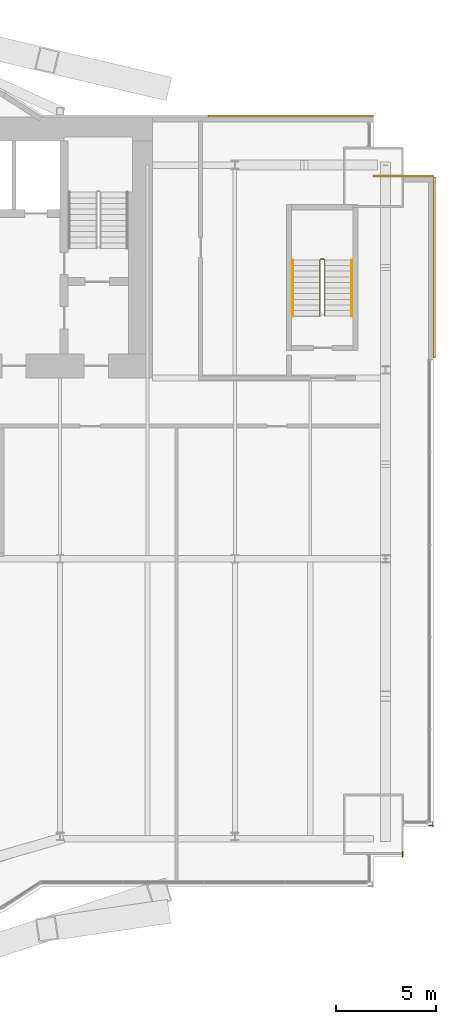
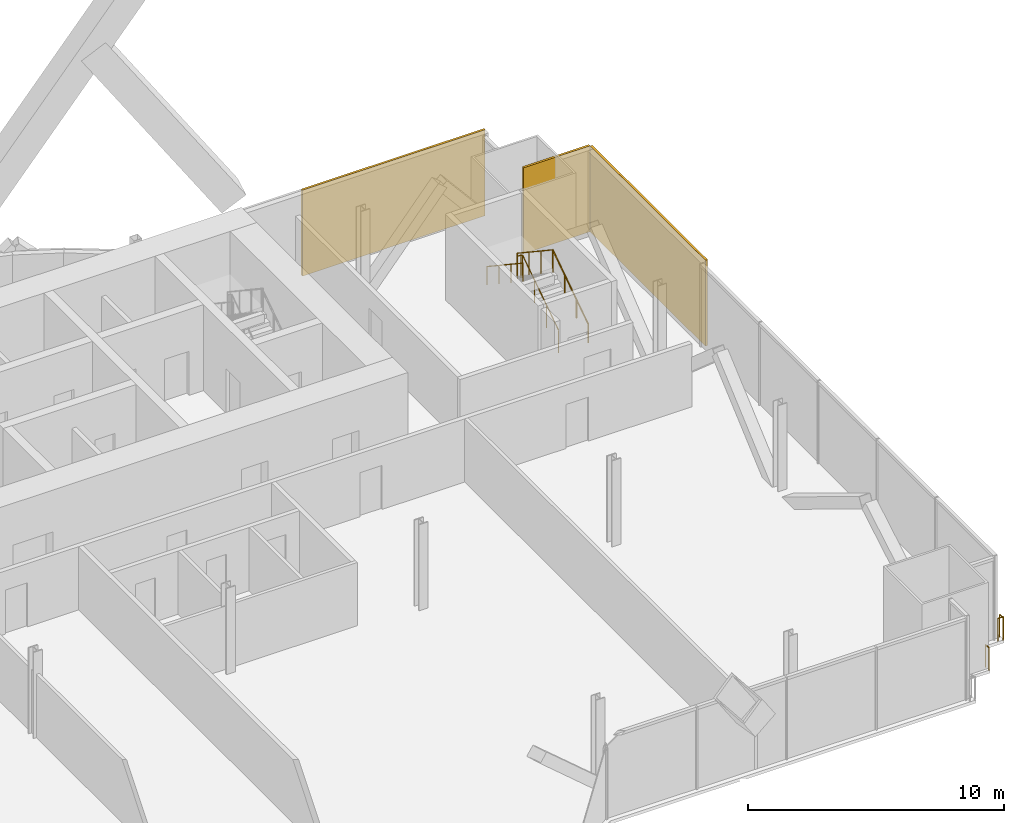
# One storey, part 22 of 22: 5 railings, 3 coverings.
"""IFC4 building model written with IfcOpenShell, lengths in metres."""

import ifcopenshell
import ifcopenshell.guid

model = None  # the IFC model being written
_history = None  # IfcOwnerHistory: only IFC2X3 demands one
_inside = {}  # id of a spatial element -> (the spatial element, [elements in it])
_under = {}  # id of a project, library or spatial element -> (it, [spatial elements below it])
_declared = {}  # id of a project -> (the project, [libraries it declares])
_typed = {}  # id of a type object -> (the type object, [elements of that type])
_made_of = {}  # id of a material, layer set ... -> (it, [elements and type objects made of it])


def new_model(schema):
    """Start an empty IFC model of exactly this schema.

    Asked for "IFC4X3", IfcOpenShell would pick the latest addendum, in which some entities
    have other attributes; the version numbers below select the first issue.
    IFC2X3 requires an IfcOwnerHistory on every rooted entity: one is made here for all.
    """
    global model, _history
    if schema == "IFC4X3":
        model = ifcopenshell.file(schema_version=(4, 3, 0, 0))
    else:
        model = ifcopenshell.file(schema=schema)
    _inside.clear()
    _under.clear()
    _declared.clear()
    _typed.clear()
    _made_of.clear()
    _history = None
    if model.schema == "IFC2X3":
        org = make("IfcOrganization", Name="unknown")
        user = make(
            "IfcPersonAndOrganization",
            ThePerson=make("IfcPerson", FamilyName="unknown"),
            TheOrganization=org,
        )
        app = make(
            "IfcApplication",
            ApplicationDeveloper=org,
            Version="unknown",
            ApplicationFullName="unknown",
            ApplicationIdentifier="unknown",
        )
        _history = make(
            "IfcOwnerHistory",
            OwningUser=user,
            OwningApplication=app,
            ChangeAction="ADDED",
            CreationDate=0,
        )
    return model


def make(cls, **values):
    """One entity of the class cls with the attributes given. An attribute that is None is left unset."""
    return model.create_entity(
        cls, **{name: value for name, value in values.items() if value is not None}
    )


def rooted(cls, **values):
    """An entity with a GlobalId (a new one), such as an element, a storey or a relation."""
    return make(cls, GlobalId=ifcopenshell.guid.new(), OwnerHistory=_history, **values)


def si_unit(unit_type, name, prefix=None):
    """IfcSIUnit, for example si_unit("LENGTHUNIT", "METRE", prefix="MILLI")."""
    return make("IfcSIUnit", UnitType=unit_type, Prefix=prefix, Name=name)


def assignment(units):
    """IfcUnitAssignment: the units of a project."""
    return None if units is None else make("IfcUnitAssignment", Units=units)


def point(xyz):
    """IfcCartesianPoint."""
    return None if xyz is None else make("IfcCartesianPoint", Coordinates=xyz)


def direction(xyz):
    """IfcDirection."""
    return None if xyz is None else make("IfcDirection", DirectionRatios=xyz)


def frame(location, z_axis=None, x_axis=None):
    """IfcAxis2Placement3D, a coordinate frame: its origin and axes. An axis left out is left unset."""
    return make(
        "IfcAxis2Placement3D",
        Location=point(location),
        Axis=direction(z_axis),
        RefDirection=direction(x_axis),
    )


def frame_2d(location, x_axis=None):
    """IfcAxis2Placement2D, a coordinate frame in the plane: its origin and x axis."""
    return make(
        "IfcAxis2Placement2D", Location=point(location), RefDirection=direction(x_axis)
    )


def origin():
    """The frame at (0, 0, 0) with its axes left unset."""
    return frame((0.0, 0.0, 0.0))


def origin_2d():
    """The frame at (0, 0) in the plane with its x axis left unset."""
    return frame_2d((0.0, 0.0))


def place(relative_to, where):
    """IfcLocalPlacement: puts the frame where relative to a parent placement (None: the world)."""
    return make(
        "IfcLocalPlacement", PlacementRelTo=relative_to, RelativePlacement=where
    )


def context(
    kind, dimensions, precision=None, world=None, true_north=None, identifier=None
):
    """IfcGeometricRepresentationContext, for example the 3D "Model" context."""
    return make(
        "IfcGeometricRepresentationContext",
        ContextIdentifier=identifier,
        ContextType=kind,
        CoordinateSpaceDimension=dimensions,
        Precision=precision,
        WorldCoordinateSystem=world,
        TrueNorth=true_north,
    )


def subcontext(parent, identifier, kind, view, scale=None):
    """IfcGeometricRepresentationSubContext, for example "Body" below "Model"."""
    return make(
        "IfcGeometricRepresentationSubContext",
        ContextIdentifier=identifier,
        ContextType=kind,
        ParentContext=parent,
        TargetScale=scale,
        TargetView=view,
    )


def project(units=None, contexts=None):
    """IfcProject with its units and contexts."""
    return rooted(
        "IfcProject",
        Name="project",
        RepresentationContexts=contexts,
        UnitsInContext=assignment(units),
    )


def spatial(cls, under=None, at=None, **own):
    """A site, building, storey or space (cls), placed at a placement, below another one or the project."""
    s = rooted(cls, ObjectPlacement=at, **own)
    if under is not None:
        _under.setdefault(under.id(), (under, []))[1].append(s)
    return s


def profile(cls, at=None, kind="AREA", **sizes):
    """A parametric profile (cls). Its sizes go by their IFC names, for example OverallWidth=200.0."""
    return make(cls, ProfileType=kind, Position=at, **sizes)


def rectangle(**sizes):
    """IfcRectangleProfileDef."""
    return profile("IfcRectangleProfileDef", **sizes)


def circle(**sizes):
    """IfcCircleProfileDef."""
    return profile("IfcCircleProfileDef", **sizes)


def extrude(swept, where, along, depth):
    """IfcExtrudedAreaSolid: the profile swept, set in the frame where, extruded along a direction by depth."""
    return make(
        "IfcExtrudedAreaSolid",
        SweptArea=swept,
        Position=where,
        ExtrudedDirection=direction(along),
        Depth=depth,
    )


def shape(context_of_items, identifier, shape_type, items):
    """IfcShapeRepresentation: the items that make up one representation, for example the "Body"."""
    return make(
        "IfcShapeRepresentation",
        ContextOfItems=context_of_items,
        RepresentationIdentifier=identifier,
        RepresentationType=shape_type,
        Items=items,
    )


def material(Name=None, Category=None):
    """IfcMaterial."""
    return make("IfcMaterial", Name=Name, Category=Category)


def layer(
    of_material, thickness, ventilated=None, Name=None, Category=None, Priority=None
):
    """IfcMaterialLayer: one layer of a wall or slab, of a material (None: an air gap)."""
    return make(
        "IfcMaterialLayer",
        Material=of_material,
        LayerThickness=thickness,
        IsVentilated=ventilated,
        Name=Name,
        Category=Category,
        Priority=Priority,
    )


def layer_set(layers, Name=None):
    """IfcMaterialLayerSet."""
    return make("IfcMaterialLayerSet", MaterialLayers=layers, LayerSetName=Name)


def made_of(thing, what):
    """Note that an element or type object is made of a material, layer set ...; save() writes the relation."""
    if what is not None:
        _made_of.setdefault(what.id(), (what, []))[1].append(thing)
    return thing


def type_object(cls, material=None, **own):
    """A type object (cls), such as IfcWallType, which elements share."""
    return made_of(rooted(cls, **own), material)


def element(
    cls,
    number,
    at=None,
    inside=None,
    cuts=None,
    type_object=None,
    material=None,
    context=None,
    identifier="Body",
    shape_type=None,
    held_by="IfcProductDefinitionShape",
    body=None,
    shapes=None,
    **own,
):
    """One element of the class cls, such as IfcWall. Its Tag is "e" and its number.

    at: its placement. inside: the storey or other place that contains it. cuts: it is an
    opening in that element (IfcRelVoidsElement). A single representation is given by context,
    identifier, shape_type and body (its items); several are given by shapes. held_by: the class
    of the entity that holds the representations. save() writes the other relations.
    """
    e = rooted(cls, Tag="e%d" % number, ObjectPlacement=at, **own)
    if body is not None:
        shapes = [shape(context, identifier, shape_type, body)]
    if shapes is not None:
        e.Representation = make(held_by, Representations=shapes)
    if inside is not None:
        _inside.setdefault(inside.id(), (inside, []))[1].append(e)
    if cuts is not None:
        rooted(
            "IfcRelVoidsElement", RelatingBuildingElement=cuts, RelatedOpeningElement=e
        )
    if type_object is not None:
        _typed.setdefault(type_object.id(), (type_object, []))[1].append(e)
    return made_of(e, material)


def aggregate(whole, parts):
    """IfcRelAggregates: a whole, such as a stair, and the parts it consists of."""
    return rooted("IfcRelAggregates", RelatingObject=whole, RelatedObjects=parts)


def save(model, path):
    """Write the relations noted so far, then the file.

    IfcRelAggregates (storeys below a building ...), IfcRelContainedInSpatialStructure (elements
    in a storey), IfcRelDefinesByType, IfcRelAssociatesMaterial and IfcRelDeclares: one each for
    every whole, place, type object, material and project.
    """
    for whole, parts in _under.values():
        aggregate(whole, parts)
    for where, things in _inside.values():
        rooted(
            "IfcRelContainedInSpatialStructure",
            RelatedElements=things,
            RelatingStructure=where,
        )
    for kind, things in _typed.values():
        rooted("IfcRelDefinesByType", RelatedObjects=things, RelatingType=kind)
    for what, things in _made_of.values():
        rooted("IfcRelAssociatesMaterial", RelatedObjects=things, RelatingMaterial=what)
    for by, libraries in _declared.values():
        rooted("IfcRelDeclares", RelatingContext=by, RelatedDefinitions=libraries)
    model.write(path)


model = new_model("IFC4")

# Units and contexts
model_context = context("Model", 3, precision=1e-05, world=origin(), true_north=direction((0.0, 1.0)))
body_context = subcontext(model_context, "Body", "Model", "MODEL_VIEW")
ifc_project = project(units=[si_unit("LENGTHUNIT", "METRE"), si_unit("AREAUNIT", "SQUARE_METRE"), si_unit("VOLUMEUNIT", "CUBIC_METRE"), si_unit("PLANEANGLEUNIT", "RADIAN"), si_unit("MASSUNIT", "GRAM", prefix="KILO")], contexts=[model_context])

# Site, building, storey
site_placement = place(None, origin())
site = spatial("IfcSite", under=ifc_project, at=site_placement, CompositionType="ELEMENT")
building_placement = place(site_placement, origin())
building = spatial("IfcBuilding", under=site, at=building_placement, Name="Bicima Exchange Tower", CompositionType="ELEMENT")
storey_placement = place(building_placement, frame((0.0, 0.0, 102.199951171875)))
storey = spatial("IfcBuildingStorey", under=building, at=storey_placement, Name="L21", CompositionType="ELEMENT", Elevation=102.199951171875)

# Coverings
ifc_material_1 = material(Name="Bronze metal cladding")
ifc_layer_1 = layer(ifc_material_1, 0.004)
ifc_material_2 = material(Name="Ventilated cavity")
ifc_layer_2 = layer(ifc_material_2, 0.06)
ifc_material_3 = material(Name="Galvanised steel rail and mineral wool", Category="steel")
ifc_layer_3 = layer(ifc_material_3, 0.036)
ifc_layer_set = layer_set([ifc_layer_1, ifc_layer_2, ifc_layer_3], Name="Ventilated cavity")
covering_type = type_object("IfcCoveringType", Name="Bronze metal cladding panel 100", PredefinedType="CLADDING", material=ifc_layer_set)
covering_1_placement = place(storey_placement, frame((28.875, 0.050048828125, -0.14990234375), z_axis=(0.0, 0.0, 1.0), x_axis=(-1.0, 0.0, 0.0)))
element("IfcCovering", 1, at=covering_1_placement, inside=storey, type_object=covering_type, Name="Bronze cladding L21 1.1", PredefinedType="CLADDING", context=body_context, shape_type="SweptSolid", body=[
    extrude(rectangle(XDim=8.25, YDim=0.10009765625, at=origin_2d()), origin(), (0.0, 0.0, 1.0), 4.10009765625),
])
covering_2_placement = place(storey_placement, frame((36.050048828125, -7.5, -0.14990234375), z_axis=(0.0, 0.0, 1.0), x_axis=(0.0, 1.0, 0.0)))
element("IfcCovering", 2, at=covering_2_placement, inside=storey, type_object=covering_type, Name="Bronze cladding L21 50.1", PredefinedType="CLADDING", context=body_context, shape_type="SweptSolid", body=[
    extrude(rectangle(XDim=9.0, YDim=0.10009765625, at=origin_2d()), origin(), (0.0, 0.0, 1.0), 4.10009765625),
])
covering_3_placement = place(storey_placement, frame((34.5, -2.949951171875, -0.14990234375), z_axis=(0.0, 0.0, 1.0), x_axis=(-1.0, 0.0, 0.0)))
element("IfcCovering", 3, at=covering_3_placement, inside=storey, type_object=covering_type, Name="Bronze cladding L21 51.1", PredefinedType="CLADDING", context=body_context, shape_type="SweptSolid", body=[
    extrude(rectangle(XDim=3.0, YDim=0.10009765625, at=origin_2d()), origin(), (0.0, 0.0, 1.0), 4.10009765625),
])

# Railings
ifc_material_4 = material(Name="Stainless steel and bonded safety glass", Category="steel")
railing_type_1 = type_object("IfcRailingType", Name="Edge guard 1100", PredefinedType="GUARDRAIL", material=ifc_material_4)
railing_1_placement = place(storey_placement, frame((35.949951171875, -35.091064453125, 0.0)))
element("IfcRailing", 4, at=railing_1_placement, inside=storey, type_object=railing_type_1, Name="Edge guard L21 98", PredefinedType="GUARDRAIL", context=body_context, shape_type="SweptSolid", body=[
    extrude(circle(Radius=0.02392578125, at=origin_2d()), frame((0.0, 0.0, 1.076171875), z_axis=(0.0, -1.0, 0.0), x_axis=(1.0, 0.0, 0.0)), (0.0, 0.0, 1.0), 0.2490234375),
    extrude(circle(Radius=0.02392578125, at=origin_2d()), frame((0.0, -0.2490234375, 1.076171875), z_axis=(0.707106781187, 0.707106781187, 0.0), x_axis=(-0.707106781187, 0.707106781187, 0.0)), (0.0, 0.0, 1.0), 0.07080078125),
    extrude(circle(Radius=0.02392578125, at=origin_2d()), frame((0.050048828125, -0.198974609375, 1.076171875), z_axis=(-1.0, 0.0, 0.0), x_axis=(0.0, -1.0, 0.0)), (0.0, 0.0, 1.0), 0.25),
    extrude(circle(Radius=0.02099609375, at=origin_2d()), origin(), (0.0, 0.0, 1.0), 1.052001953125),
    extrude(circle(Radius=0.02099609375, at=origin_2d()), frame((0.0, -0.2490234375, 0.0)), (0.0, 0.0, 1.0), 1.052001953125),
    extrude(circle(Radius=0.02099609375, at=origin_2d()), frame((0.050048828125, -0.198974609375, 0.0)), (0.0, 0.0, 1.0), 1.052001953125),
    extrude(circle(Radius=0.02099609375, at=origin_2d()), frame((-0.199951171875, -0.198974609375, 0.0)), (0.0, 0.0, 1.0), 1.052001953125),
])
railing_2_placement = place(storey_placement, frame((34.449951171875, -36.590087890625, 0.0)))
element("IfcRailing", 5, at=railing_2_placement, inside=storey, type_object=railing_type_1, Name="Edge guard L21 99", PredefinedType="GUARDRAIL", context=body_context, shape_type="SweptSolid", body=[
    extrude(circle(Radius=0.02392578125, at=origin_2d()), frame((0.0, 0.0, 1.076171875), z_axis=(0.0, -1.0, 0.0), x_axis=(1.0, 0.0, 0.0)), (0.0, 0.0, 1.0), 0.25),
    extrude(circle(Radius=0.02099609375, at=origin_2d()), origin(), (0.0, 0.0, 1.0), 1.052001953125),
    extrude(circle(Radius=0.02099609375, at=origin_2d()), frame((0.0, -0.25, 0.0)), (0.0, 0.0, 1.0), 1.052001953125),
])
ifc_material_5 = material(Name="Stainless steel", Category="steel")
railing_type_2 = type_object("IfcRailingType", Name="Stair guard 1100", PredefinedType="GUARDRAIL", material=ifc_material_5)
railing_3_placement = place(storey_placement, frame((30.574951171875, -9.925048828125, 0.1865234375)))
element("IfcRailing", 6, at=railing_3_placement, inside=storey, type_object=railing_type_2, Name="L21 ST-EE stair guard 1", PredefinedType="GUARDRAIL", context=body_context, shape_type="SweptSolid", body=[
    extrude(circle(Radius=0.02392578125, at=origin_2d()), frame((0.0, 0.0, 1.076171875), z_axis=(0.0, 0.832485552168, 0.554046753832), x_axis=(-1.0, 0.0, 0.0)), (0.0, 0.0, 1.0), 3.363525390625),
    extrude(circle(Radius=0.02392578125, at=origin_2d()), frame((0.0, 2.800048828125, 2.939453125), z_axis=(-0.707106781187, 0.707106781187, 0.0), x_axis=(-0.707106781187, -0.707106781187, 0.0)), (0.0, 0.0, 1.0), 0.07080078125),
    extrude(circle(Radius=0.02392578125, at=origin_2d()), frame((-0.050048828125, 2.85009765625, 2.939453125), z_axis=(-1.0, 0.0, 0.0), x_axis=(0.0, -1.0, 0.0)), (0.0, 0.0, 1.0), 0.14990234375),
    extrude(circle(Radius=0.02392578125, at=origin_2d()), frame((-0.199951171875, 2.85009765625, 2.939453125), z_axis=(-0.251157038772, -0.251157038772, 0.934794246747), x_axis=(0.707106781187, -0.707106781187, 0.0)), (0.0, 0.0, 1.0), 0.19921875),
    extrude(circle(Radius=0.02392578125, at=origin_2d()), frame((-0.25, 2.800048828125, 3.1259765625), z_axis=(0.0, -0.832452072856, 0.554097055034), x_axis=(1.0, 0.0, 0.0)), (0.0, 0.0, 1.0), 3.363525390625),
    extrude(circle(Radius=0.02099609375, at=origin_2d()), origin(), (0.0, 0.0, 1.0), 1.052001953125),
    extrude(circle(Radius=0.02099609375, at=origin_2d()), frame((0.0, 0.933349609375, 0.62109375)), (0.0, 0.0, 1.0), 1.052001953125),
    extrude(circle(Radius=0.02099609375, at=origin_2d()), frame((0.0, 1.86669921875, 1.242431640625)), (0.0, 0.0, 1.0), 1.052001953125),
    extrude(circle(Radius=0.02099609375, at=origin_2d()), frame((0.0, 2.800048828125, 1.863525390625)), (0.0, 0.0, 1.0), 1.052001953125),
    extrude(circle(Radius=0.02099609375, at=origin_2d()), frame((-0.050048828125, 2.85009765625, 1.863525390625)), (0.0, 0.0, 1.0), 1.052001953125),
    extrude(circle(Radius=0.02099609375, at=origin_2d()), frame((-0.199951171875, 2.85009765625, 1.863525390625)), (0.0, 0.0, 1.0), 1.052001953125),
    extrude(circle(Radius=0.02099609375, at=origin_2d()), frame((-0.25, 2.800048828125, 2.0498046875)), (0.0, 0.0, 1.0), 1.052001953125),
    extrude(circle(Radius=0.02099609375, at=origin_2d()), frame((-0.25, 1.86669921875, 2.671142578125)), (0.0, 0.0, 1.0), 1.052001953125),
    extrude(circle(Radius=0.02099609375, at=origin_2d()), frame((-0.25, 0.933349609375, 3.292236328125)), (0.0, 0.0, 1.0), 1.052001953125),
    extrude(circle(Radius=0.02099609375, at=origin_2d()), frame((-0.25, 0.0, 3.91357421875)), (0.0, 0.0, 1.0), 1.052001953125),
])
railing_type_3 = type_object("IfcRailingType", Name="Stair handrail 900", PredefinedType="HANDRAIL", material=ifc_material_5)
railing_4_placement = place(storey_placement, frame((31.925048828125, -9.925048828125, 0.1865234375)))
element("IfcRailing", 7, at=railing_4_placement, inside=storey, type_object=railing_type_3, Name="L21 ST-EE stair handrail 1", PredefinedType="HANDRAIL", context=body_context, shape_type="SweptSolid", body=[
    extrude(circle(Radius=0.02392578125, at=origin_2d()), frame((0.0, 0.0, 0.8759765625), z_axis=(0.0, 0.832485552168, 0.554046753832), x_axis=(-1.0, 0.0, 0.0)), (0.0, 0.0, 1.0), 3.363525390625),
    extrude(circle(Radius=0.02099609375, at=origin_2d()), origin(), (0.0, 0.0, 1.0), 0.851806640625),
    extrude(circle(Radius=0.02099609375, at=origin_2d()), frame((0.0, 0.933349609375, 0.62109375)), (0.0, 0.0, 1.0), 0.851806640625),
    extrude(circle(Radius=0.02099609375, at=origin_2d()), frame((0.0, 1.86669921875, 1.242431640625)), (0.0, 0.0, 1.0), 0.851806640625),
    extrude(circle(Radius=0.02099609375, at=origin_2d()), frame((0.0, 2.800048828125, 1.863525390625)), (0.0, 0.0, 1.0), 0.851806640625),
])
railing_5_placement = place(storey_placement, frame((28.97509765625, -7.125, 2.27685546875)))
element("IfcRailing", 8, at=railing_5_placement, inside=storey, type_object=railing_type_3, Name="L21 ST-EE stair handrail 2", PredefinedType="HANDRAIL", context=body_context, shape_type="SweptSolid", body=[
    extrude(circle(Radius=0.02392578125, at=origin_2d()), frame((0.0, 0.0, 0.8759765625), z_axis=(0.0, -0.832485552168, 0.554046753832), x_axis=(1.0, 0.0, 0.0)), (0.0, 0.0, 1.0), 3.363525390625),
    extrude(circle(Radius=0.02099609375, at=origin_2d()), origin(), (0.0, 0.0, 1.0), 0.851806640625),
    extrude(circle(Radius=0.02099609375, at=origin_2d()), frame((0.0, -0.933349609375, 0.62109375)), (0.0, 0.0, 1.0), 0.851806640625),
    extrude(circle(Radius=0.02099609375, at=origin_2d()), frame((0.0, -1.86669921875, 1.242431640625)), (0.0, 0.0, 1.0), 0.851806640625),
    extrude(circle(Radius=0.02099609375, at=origin_2d()), frame((0.0, -2.800048828125, 1.863525390625)), (0.0, 0.0, 1.0), 0.851806640625),
])

save(model, "model.ifc")
